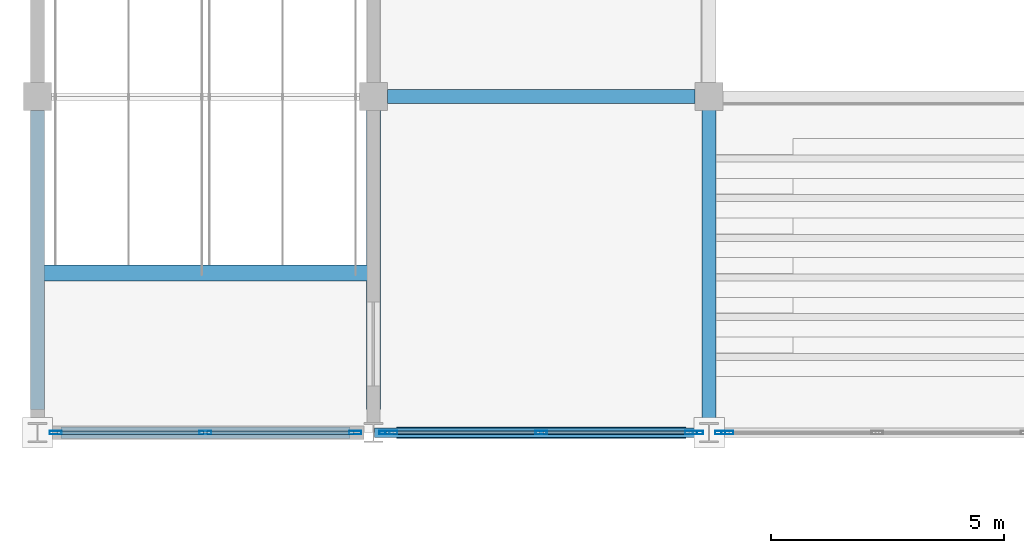
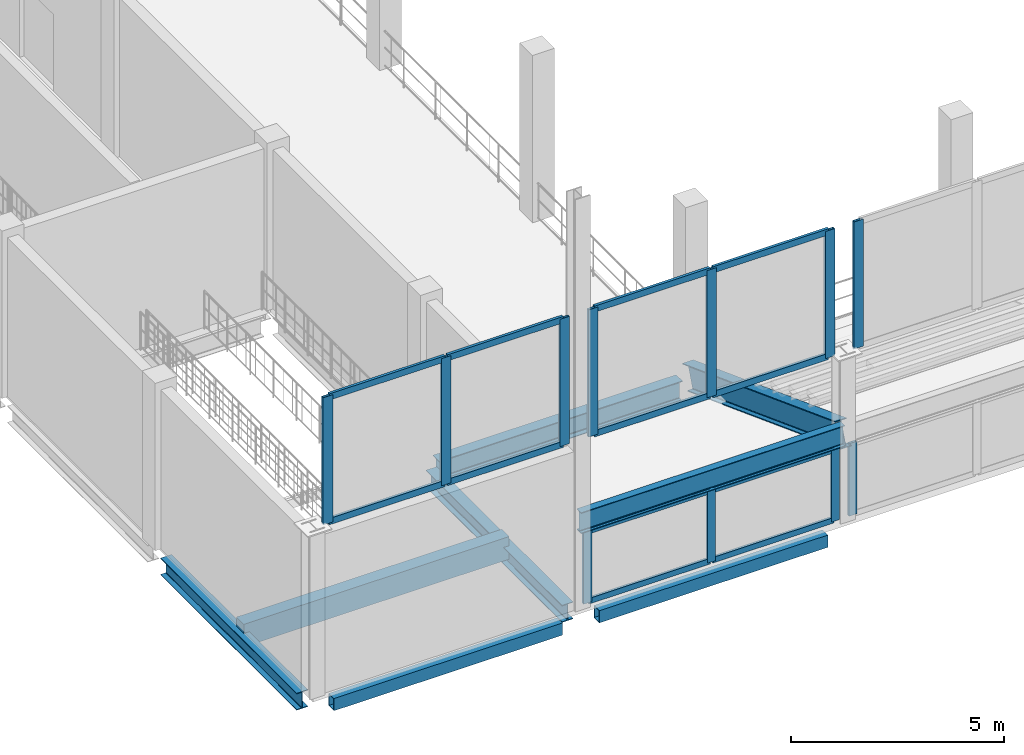
# One storey, part 18 of 120: 23 members, 8 beams, 5 elements without a shape of their own.
"""IFC4 building model written with IfcOpenShell, lengths in metres."""

from ifc_helpers import new_model, si_unit, direction, frame, origin, origin_2d, place, context, subcontext, project, spatial, rectangle, hollow_rectangle, i_section, extrude, material, material_profile, profile_set, type_object, element, aggregate, save


model = new_model("IFC4")

# Units and contexts
model_context = context("Model", 3, precision=1e-05, world=origin(), true_north=direction((0.0, 1.0)))
body_context = subcontext(model_context, "Body", "Model", "MODEL_VIEW")
ifc_project = project(units=[si_unit("LENGTHUNIT", "METRE"), si_unit("AREAUNIT", "SQUARE_METRE"), si_unit("VOLUMEUNIT", "CUBIC_METRE"), si_unit("PLANEANGLEUNIT", "RADIAN"), si_unit("MASSUNIT", "GRAM", prefix="KILO")], contexts=[model_context])

# Site, building, storey
site_placement = place(None, origin())
site = spatial("IfcSite", under=ifc_project, at=site_placement, CompositionType="ELEMENT")
building_placement = place(site_placement, origin())
building = spatial("IfcBuilding", under=site, at=building_placement, Name="Vesperath Aquatics Centre", CompositionType="ELEMENT")
storey_placement = place(building_placement, frame((0.0, 0.0, 10.199951171875)))
storey = spatial("IfcBuildingStorey", under=building, at=storey_placement, Name="L02", CompositionType="ELEMENT", Elevation=10.199951171875)

# Beams
ifc_material_1 = material(Name="Concrete C35", Category="concrete")
ifc_material_profile_1 = material_profile(ifc_material_1, rectangle(XDim=0.35009765625, YDim=0.64990234375, at=origin_2d()), Name="RC 350x650")
ifc_profile_set_1 = profile_set([ifc_material_profile_1], Name="Concrete C35")
beam_type_1 = type_object("IfcBeamType", Name="BM-G05", PredefinedType="BEAM", material=ifc_profile_set_1)
beam_1_placement = place(storey_placement, frame((0.0, 17.820068359375, -0.324951171875), z_axis=(1.0, 0.0, 0.0), x_axis=(0.0, 1.0, 0.0)))
element("IfcBeam", 1, at=beam_1_placement, inside=storey, type_object=beam_type_1, Name="Stair ST10 Landing Trimmer Beam B05 L02", PredefinedType="BEAM", context=body_context, shape_type="SweptSolid", body=[
    extrude(rectangle(XDim=0.35009765625, YDim=0.64990234375, at=origin_2d()), origin(), (0.0, 0.0, 1.0), 7.199951171875),
])
ifc_material_2 = material(Name="Steel Q355C", Category="steel")
ifc_material_profile_2 = material_profile(ifc_material_2, i_section(OverallWidth=0.300048828125, OverallDepth=0.587890625, WebThickness=0.011962890625, FlangeThickness=0.02001953125, FilletRadius=0.028076171875, at=origin_2d()), Name="HM 588x300x12x20")
ifc_profile_set_2 = profile_set([ifc_material_profile_2], Name="Steel Q355C")
beam_type_2 = type_object("IfcBeamType", Name="BM-G09", PredefinedType="BEAM", material=ifc_profile_set_2)
beam_2_placement = place(storey_placement, frame((7.5, 21.60009765625, -0.553955078125), z_axis=(1.0, 0.0, 0.0), x_axis=(0.0, 1.0, 0.0)))
element("IfcBeam", 2, at=beam_2_placement, inside=storey, type_object=beam_type_2, Name="Floor Girder B09 L02 D 2-3", PredefinedType="BEAM", context=body_context, shape_type="SweptSolid", body=[
    extrude(i_section(OverallWidth=0.300048828125, OverallDepth=0.587890625, WebThickness=0.011962890625, FlangeThickness=0.02001953125, FilletRadius=0.028076171875, at=origin_2d()), origin(), (0.0, 0.0, 1.0), 6.60009765625),
])
ifc_material_profile_3 = material_profile(ifc_material_2, i_section(OverallWidth=0.300048828125, OverallDepth=0.488037109375, WebThickness=0.010986328125, FlangeThickness=0.01806640625, FilletRadius=0.02587890625, at=origin_2d()), Name="HM 488x300x11x18")
ifc_profile_set_3 = profile_set([ifc_material_profile_3], Name="Steel Q355C")
beam_type_3 = type_object("IfcBeamType", Name="BM-G10", PredefinedType="BEAM", material=ifc_profile_set_3)
for number, where, z_axis, x_axis, name in (
    (3, (0.0, 14.89990234375, -0.50390625), (0.0, 1.0, 0.0), (-1.0, 0.0, 0.0), "Floor Girder B10 L02 1 C-D"),
    (4, (7.199951171875, 14.89990234375, -0.50390625), (0.0, 1.0, 0.0), (-1.0, 0.0, 0.0), "Floor Girder B10 L02 2 C-D"),
):
    element("IfcBeam", number, at=place(storey_placement, frame(where, z_axis=z_axis, x_axis=x_axis)), inside=storey, type_object=beam_type_3, Name=name, PredefinedType="BEAM", context=body_context, shape_type="SweptSolid", body=[
        extrude(i_section(OverallWidth=0.300048828125, OverallDepth=0.488037109375, WebThickness=0.010986328125, FlangeThickness=0.01806640625, FilletRadius=0.02587890625, at=origin_2d()), origin(), (0.0, 0.0, 1.0), 6.400146484375),
    ])
ifc_material_3 = material(Name="Steel Q355D", Category="steel")
ifc_material_profile_4 = material_profile(ifc_material_3, i_section(OverallWidth=0.300048828125, OverallDepth=0.699951171875, WebThickness=0.012939453125, FlangeThickness=0.02392578125, FilletRadius=0.028076171875, at=origin_2d()), Name="HN 700x300x13x24")
ifc_profile_set_4 = profile_set([ifc_material_profile_4], Name="Steel Q355D")
beam_type_4 = type_object("IfcBeamType", Name="BM-RK02", PredefinedType="USERDEFINED", material=ifc_profile_set_4)
beam_3_placement = place(storey_placement, frame((14.39990234375, 21.60009765625, -0.300048828125), z_axis=(0.0, -0.93632395855, 0.351137358659), x_axis=(1.0, 0.0, 0.0)))
element("IfcBeam", 5, at=beam_3_placement, inside=storey, type_object=beam_type_4, Name="Upper Stand RAKER Beam RK02 South 3", ObjectType="RAKER", PredefinedType="USERDEFINED", context=body_context, shape_type="SweptSolid", body=[
    extrude(i_section(OverallWidth=0.300048828125, OverallDepth=0.699951171875, WebThickness=0.012939453125, FlangeThickness=0.02392578125, FilletRadius=0.028076171875, at=origin_2d()), origin(), (0.0, 0.0, 1.0), 7.68994140625),
])
ifc_material_profile_5 = material_profile(ifc_material_3, i_section(OverallWidth=0.199951171875, OverallDepth=0.60009765625, WebThickness=0.010986328125, FlangeThickness=0.01708984375, FilletRadius=0.02197265625, at=origin_2d()), Name="HN 600x200x11x17")
ifc_profile_set_5 = profile_set([ifc_material_profile_5], Name="Steel Q355D")
beam_type_5 = type_object("IfcBeamType", Name="BM-RKH1", PredefinedType="BEAM", material=ifc_profile_set_5)
beam_4_placement = place(storey_placement, frame((7.219970703125, 14.39990234375, 2.400146484375), z_axis=(1.0, 0.0, 0.0), x_axis=(0.0, 1.0, 0.0)))
element("IfcBeam", 6, at=beam_4_placement, inside=storey, type_object=beam_type_5, Name="Upper Bowl Rim Girder RKH1 South 2-3", PredefinedType="BEAM", context=body_context, shape_type="SweptSolid", body=[
    extrude(i_section(OverallWidth=0.199951171875, OverallDepth=0.60009765625, WebThickness=0.010986328125, FlangeThickness=0.01708984375, FilletRadius=0.02197265625, at=origin_2d()), origin(), (0.0, 0.0, 1.0), 7.159912109375),
])
ifc_material_profile_6 = material_profile(ifc_material_3, hollow_rectangle(XDim=0.25, YDim=0.35009765625, WallThickness=0.011962890625, at=origin_2d()), Name="RHS 350x250x12")
ifc_profile_set_6 = profile_set([ifc_material_profile_6], Name="Steel Q355D")
beam_type_6 = type_object("IfcBeamType", Name="BM-SP02", PredefinedType="SPANDREL", material=ifc_profile_set_6)
for number, where, z_axis, x_axis, name in (
    (7, (0.5, 14.39990234375, -0.43505859375), (1.0, 0.0, 0.0), (0.0, 1.0, 0.0), "Floor Girder SP02 L02 C 1-2"),
    (8, (7.699951171875, 14.39990234375, -0.43505859375), (1.0, 0.0, 0.0), (0.0, 1.0, 0.0), "Floor Girder SP02 L02 C 2-3"),
):
    element("IfcBeam", number, at=place(storey_placement, frame(where, z_axis=z_axis, x_axis=x_axis)), inside=storey, type_object=beam_type_6, Name=name, PredefinedType="SPANDREL", context=body_context, shape_type="SweptSolid", body=[
        extrude(hollow_rectangle(XDim=0.25, YDim=0.35009765625, WallThickness=0.011962890625, at=origin_2d()), origin(), (0.0, 0.0, 1.0), 6.199951171875),
    ])

# Curtain wall, members
ifc_material_4 = material(Name="Thermally broken anodised bronze aluminium curtain wall", Category="aluminium")
curtain_wall_type_1 = type_object("IfcCurtainWallType", Name="CW-08", PredefinedType="NOTDEFINED", material=ifc_material_4)
curtain_wall_1_placement = place(storey_placement, origin())
curtain_wall_1 = element("IfcCurtainWall", 9, at=curtain_wall_1_placement, inside=storey, type_object=curtain_wall_type_1, Name="Natatorium Gable West Curtain Wall CW08 S-1W", PredefinedType="NOTDEFINED")
ifc_material_5 = material(Name="Thermally broken anodised aluminium", Category="aluminium")
ifc_material_profile_7 = material_profile(ifc_material_5, hollow_rectangle(XDim=0.074951171875, YDim=0.260009765625, WallThickness=0.006103515625, at=origin_2d()), Name="CWM 75x260x6")
ifc_profile_set_7 = profile_set([ifc_material_profile_7], Name="Thermally broken anodised aluminium")
member_type_1 = type_object("IfcMemberType", Name="MB-CWM1", PredefinedType="MULLION", material=ifc_profile_set_7)
member_1_placement = place(storey_placement, frame((0.387451171875, 14.39990234375, 4.75), z_axis=(0.0, 0.0, 1.0), x_axis=(0.0, 1.0, 0.0)))
member_1 = element("IfcMember", 10, at=member_1_placement, type_object=member_type_1, Name="CW08 mullion 1", PredefinedType="MULLION", context=body_context, shape_type="SweptSolid", body=[
    extrude(hollow_rectangle(XDim=0.074951171875, YDim=0.260009765625, WallThickness=0.006103515625, at=origin_2d()), origin(), (0.0, 0.0, 1.0), 3.650146484375),
])
member_2_placement = place(storey_placement, frame((3.60009765625, 14.39990234375, 4.75), z_axis=(0.0, 0.0, 1.0), x_axis=(0.0, 1.0, 0.0)))
member_2 = element("IfcMember", 11, at=member_2_placement, type_object=member_type_1, Name="CW08 mullion 2", PredefinedType="MULLION", context=body_context, shape_type="SweptSolid", body=[
    extrude(hollow_rectangle(XDim=0.074951171875, YDim=0.260009765625, WallThickness=0.006103515625, at=origin_2d()), origin(), (0.0, 0.0, 1.0), 3.650146484375),
])
member_3_placement = place(storey_placement, frame((6.8125, 14.39990234375, 4.75), z_axis=(0.0, 0.0, 1.0), x_axis=(0.0, 1.0, 0.0)))
member_3 = element("IfcMember", 12, at=member_3_placement, type_object=member_type_1, Name="CW08 mullion 3", PredefinedType="MULLION", context=body_context, shape_type="SweptSolid", body=[
    extrude(hollow_rectangle(XDim=0.074951171875, YDim=0.260009765625, WallThickness=0.006103515625, at=origin_2d()), origin(), (0.0, 0.0, 1.0), 3.650146484375),
])

curtain_wall_2_placement = place(storey_placement, origin())
curtain_wall_2 = element("IfcCurtainWall", 13, at=curtain_wall_2_placement, inside=storey, type_object=curtain_wall_type_1, Name="Natatorium Gable East Curtain Wall CW08 S-1E", PredefinedType="NOTDEFINED")
member_4_placement = place(storey_placement, frame((7.58740234375, 14.39990234375, 4.75), z_axis=(0.0, 0.0, 1.0), x_axis=(0.0, 1.0, 0.0)))
member_4 = element("IfcMember", 14, at=member_4_placement, type_object=member_type_1, Name="CW08 mullion 1", PredefinedType="MULLION", context=body_context, shape_type="SweptSolid", body=[
    extrude(hollow_rectangle(XDim=0.074951171875, YDim=0.260009765625, WallThickness=0.006103515625, at=origin_2d()), origin(), (0.0, 0.0, 1.0), 3.650146484375),
])
member_5_placement = place(storey_placement, frame((10.800048828125, 14.39990234375, 4.75), z_axis=(0.0, 0.0, 1.0), x_axis=(0.0, 1.0, 0.0)))
member_5 = element("IfcMember", 15, at=member_5_placement, type_object=member_type_1, Name="CW08 mullion 2", PredefinedType="MULLION", context=body_context, shape_type="SweptSolid", body=[
    extrude(hollow_rectangle(XDim=0.074951171875, YDim=0.260009765625, WallThickness=0.006103515625, at=origin_2d()), origin(), (0.0, 0.0, 1.0), 3.650146484375),
])
member_6_placement = place(storey_placement, frame((14.012451171875, 14.39990234375, 4.75), z_axis=(0.0, 0.0, 1.0), x_axis=(0.0, 1.0, 0.0)))
member_6 = element("IfcMember", 16, at=member_6_placement, type_object=member_type_1, Name="CW08 mullion 3", PredefinedType="MULLION", context=body_context, shape_type="SweptSolid", body=[
    extrude(hollow_rectangle(XDim=0.074951171875, YDim=0.260009765625, WallThickness=0.006103515625, at=origin_2d()), origin(), (0.0, 0.0, 1.0), 3.650146484375),
])

# Curtain wall, member
curtain_wall_3_placement = place(storey_placement, origin())
curtain_wall_3 = element("IfcCurtainWall", 17, at=curtain_wall_3_placement, inside=storey, type_object=curtain_wall_type_1, Name="Natatorium Gable West Curtain Wall CW08 S-2W", PredefinedType="NOTDEFINED")
member_7_placement = place(storey_placement, frame((14.78759765625, 14.39990234375, 4.75), z_axis=(0.0, 0.0, 1.0), x_axis=(0.0, 1.0, 0.0)))
member_7 = element("IfcMember", 18, at=member_7_placement, type_object=member_type_1, Name="CW08 mullion 1", PredefinedType="MULLION", context=body_context, shape_type="SweptSolid", body=[
    extrude(hollow_rectangle(XDim=0.074951171875, YDim=0.260009765625, WallThickness=0.006103515625, at=origin_2d()), origin(), (0.0, 0.0, 1.0), 3.650146484375),
])
aggregate(curtain_wall_3, [member_7])

# Curtain wall, members
curtain_wall_type_2 = type_object("IfcCurtainWallType", Name="CW-06", PredefinedType="NOTDEFINED", material=ifc_material_4)
curtain_wall_4_placement = place(storey_placement, origin())
curtain_wall_4 = element("IfcCurtainWall", 19, at=curtain_wall_4_placement, inside=storey, type_object=curtain_wall_type_2, Name="Facade Curtain Wall CW06 L02_S_01_02", PredefinedType="NOTDEFINED")
ifc_material_profile_8 = material_profile(ifc_material_5, hollow_rectangle(XDim=0.070068359375, YDim=0.219970703125, WallThickness=0.0048828125, at=origin_2d()), Name="CWM 70x220x5")
ifc_profile_set_8 = profile_set([ifc_material_profile_8], Name="Thermally broken anodised aluminium")
member_type_2 = type_object("IfcMemberType", Name="MB-CWM2", PredefinedType="MULLION", material=ifc_profile_set_8)
member_8_placement = place(storey_placement, frame((7.4384765625, 14.39990234375, 0.0), z_axis=(0.0, 0.0, 1.0), x_axis=(0.0, 1.0, 0.0)))
member_8 = element("IfcMember", 20, at=member_8_placement, type_object=member_type_2, Name="CW06 mullion 1", PredefinedType="MULLION", context=body_context, shape_type="SweptSolid", body=[
    extrude(hollow_rectangle(XDim=0.070068359375, YDim=0.219970703125, WallThickness=0.0048828125, at=origin_2d()), origin(), (0.0, 0.0, 1.0), 2.080078125),
])
member_9_placement = place(storey_placement, frame((10.800048828125, 14.39990234375, 0.0), z_axis=(0.0, 0.0, 1.0), x_axis=(0.0, 1.0, 0.0)))
member_9 = element("IfcMember", 21, at=member_9_placement, type_object=member_type_2, Name="CW06 mullion 2", PredefinedType="MULLION", context=body_context, shape_type="SweptSolid", body=[
    extrude(hollow_rectangle(XDim=0.070068359375, YDim=0.219970703125, WallThickness=0.0048828125, at=origin_2d()), origin(), (0.0, 0.0, 1.0), 2.080078125),
])
member_10_placement = place(storey_placement, frame((14.16162109375, 14.39990234375, 0.0), z_axis=(0.0, 0.0, 1.0), x_axis=(0.0, 1.0, 0.0)))
member_10 = element("IfcMember", 22, at=member_10_placement, type_object=member_type_2, Name="CW06 mullion 3", PredefinedType="MULLION", context=body_context, shape_type="SweptSolid", body=[
    extrude(hollow_rectangle(XDim=0.070068359375, YDim=0.219970703125, WallThickness=0.0048828125, at=origin_2d()), origin(), (0.0, 0.0, 1.0), 2.080078125),
])

# Curtain wall, member
curtain_wall_5_placement = place(storey_placement, origin())
curtain_wall_5 = element("IfcCurtainWall", 23, at=curtain_wall_5_placement, inside=storey, type_object=curtain_wall_type_2, Name="Facade Curtain Wall CW06 L02_S_02_02", PredefinedType="NOTDEFINED")
member_11_placement = place(storey_placement, frame((14.638427734375, 14.39990234375, 0.0), z_axis=(0.0, 0.0, 1.0), x_axis=(0.0, 1.0, 0.0)))
member_11 = element("IfcMember", 24, at=member_11_placement, type_object=member_type_2, Name="CW06 mullion 1", PredefinedType="MULLION", context=body_context, shape_type="SweptSolid", body=[
    extrude(hollow_rectangle(XDim=0.070068359375, YDim=0.219970703125, WallThickness=0.0048828125, at=origin_2d()), origin(), (0.0, 0.0, 1.0), 2.080078125),
])
aggregate(curtain_wall_5, [member_11])

# Member
ifc_material_profile_9 = material_profile(ifc_material_5, hollow_rectangle(XDim=0.074951171875, YDim=0.179931640625, WallThickness=0.0048828125, at=origin_2d()), Name="CWT 75x180x5")
ifc_profile_set_9 = profile_set([ifc_material_profile_9], Name="Thermally broken anodised aluminium")
member_type_3 = type_object("IfcMemberType", Name="MB-CWT1", PredefinedType="USERDEFINED", material=ifc_profile_set_9)
member_12_placement = place(storey_placement, frame((0.425048828125, 14.39990234375, 4.78759765625), z_axis=(1.0, 0.0, 0.0), x_axis=(0.0, 1.0, 0.0)))
member_12 = element("IfcMember", 25, at=member_12_placement, type_object=member_type_3, Name="CW08 transom 1.1", ObjectType="TRANSOM", PredefinedType="USERDEFINED", context=body_context, shape_type="SweptSolid", body=[
    extrude(hollow_rectangle(XDim=0.074951171875, YDim=0.179931640625, WallThickness=0.0048828125, at=origin_2d()), origin(), (0.0, 0.0, 1.0), 3.137451171875),
])

member_13_placement = place(storey_placement, frame((0.425048828125, 14.39990234375, 8.362548828125), z_axis=(1.0, 0.0, 0.0), x_axis=(0.0, 1.0, 0.0)))
member_13 = element("IfcMember", 26, at=member_13_placement, type_object=member_type_3, Name="CW08 transom 1.2", ObjectType="TRANSOM", PredefinedType="USERDEFINED", context=body_context, shape_type="SweptSolid", body=[
    extrude(hollow_rectangle(XDim=0.074951171875, YDim=0.179931640625, WallThickness=0.0048828125, at=origin_2d()), origin(), (0.0, 0.0, 1.0), 3.137451171875),
])

member_14_placement = place(storey_placement, frame((3.637451171875, 14.39990234375, 4.78759765625), z_axis=(1.0, 0.0, 0.0), x_axis=(0.0, 1.0, 0.0)))
member_14 = element("IfcMember", 27, at=member_14_placement, type_object=member_type_3, Name="CW08 transom 2.1", ObjectType="TRANSOM", PredefinedType="USERDEFINED", context=body_context, shape_type="SweptSolid", body=[
    extrude(hollow_rectangle(XDim=0.074951171875, YDim=0.179931640625, WallThickness=0.0048828125, at=origin_2d()), origin(), (0.0, 0.0, 1.0), 3.137451171875),
])

member_15_placement = place(storey_placement, frame((3.637451171875, 14.39990234375, 8.362548828125), z_axis=(1.0, 0.0, 0.0), x_axis=(0.0, 1.0, 0.0)))
member_15 = element("IfcMember", 28, at=member_15_placement, type_object=member_type_3, Name="CW08 transom 2.2", ObjectType="TRANSOM", PredefinedType="USERDEFINED", context=body_context, shape_type="SweptSolid", body=[
    extrude(hollow_rectangle(XDim=0.074951171875, YDim=0.179931640625, WallThickness=0.0048828125, at=origin_2d()), origin(), (0.0, 0.0, 1.0), 3.137451171875),
])

aggregate(curtain_wall_1, [member_1, member_2, member_3, member_12, member_13, member_14, member_15])

member_16_placement = place(storey_placement, frame((7.625, 14.39990234375, 4.78759765625), z_axis=(1.0, 0.0, 0.0), x_axis=(0.0, 1.0, 0.0)))
member_16 = element("IfcMember", 29, at=member_16_placement, type_object=member_type_3, Name="CW08 transom 1.1", ObjectType="TRANSOM", PredefinedType="USERDEFINED", context=body_context, shape_type="SweptSolid", body=[
    extrude(hollow_rectangle(XDim=0.074951171875, YDim=0.179931640625, WallThickness=0.0048828125, at=origin_2d()), origin(), (0.0, 0.0, 1.0), 3.137451171875),
])

member_17_placement = place(storey_placement, frame((7.625, 14.39990234375, 8.362548828125), z_axis=(1.0, 0.0, 0.0), x_axis=(0.0, 1.0, 0.0)))
member_17 = element("IfcMember", 30, at=member_17_placement, type_object=member_type_3, Name="CW08 transom 1.2", ObjectType="TRANSOM", PredefinedType="USERDEFINED", context=body_context, shape_type="SweptSolid", body=[
    extrude(hollow_rectangle(XDim=0.074951171875, YDim=0.179931640625, WallThickness=0.0048828125, at=origin_2d()), origin(), (0.0, 0.0, 1.0), 3.137451171875),
])

member_18_placement = place(storey_placement, frame((10.83740234375, 14.39990234375, 4.78759765625), z_axis=(1.0, 0.0, 0.0), x_axis=(0.0, 1.0, 0.0)))
member_18 = element("IfcMember", 31, at=member_18_placement, type_object=member_type_3, Name="CW08 transom 2.1", ObjectType="TRANSOM", PredefinedType="USERDEFINED", context=body_context, shape_type="SweptSolid", body=[
    extrude(hollow_rectangle(XDim=0.074951171875, YDim=0.179931640625, WallThickness=0.0048828125, at=origin_2d()), origin(), (0.0, 0.0, 1.0), 3.1376953125),
])

member_19_placement = place(storey_placement, frame((10.83740234375, 14.39990234375, 8.362548828125), z_axis=(1.0, 0.0, 0.0), x_axis=(0.0, 1.0, 0.0)))
member_19 = element("IfcMember", 32, at=member_19_placement, type_object=member_type_3, Name="CW08 transom 2.2", ObjectType="TRANSOM", PredefinedType="USERDEFINED", context=body_context, shape_type="SweptSolid", body=[
    extrude(hollow_rectangle(XDim=0.074951171875, YDim=0.179931640625, WallThickness=0.0048828125, at=origin_2d()), origin(), (0.0, 0.0, 1.0), 3.1376953125),
])

aggregate(curtain_wall_2, [member_4, member_5, member_6, member_16, member_17, member_18, member_19])

ifc_material_profile_10 = material_profile(ifc_material_5, hollow_rectangle(XDim=0.070068359375, YDim=0.159912109375, WallThickness=0.0048828125, at=origin_2d()), Name="CWT 70x160x5")
ifc_profile_set_10 = profile_set([ifc_material_profile_10], Name="Thermally broken anodised aluminium")
member_type_4 = type_object("IfcMemberType", Name="MB-CWT2", PredefinedType="USERDEFINED", material=ifc_profile_set_10)
member_20_placement = place(storey_placement, frame((7.473388671875, 14.39990234375, 0.03515625), z_axis=(1.0, 0.0, 0.0), x_axis=(0.0, 1.0, 0.0)))
member_20 = element("IfcMember", 33, at=member_20_placement, type_object=member_type_4, Name="CW06 transom 1.1", ObjectType="TRANSOM", PredefinedType="USERDEFINED", context=body_context, shape_type="SweptSolid", body=[
    extrude(hollow_rectangle(XDim=0.070068359375, YDim=0.159912109375, WallThickness=0.0048828125, at=origin_2d()), origin(), (0.0, 0.0, 1.0), 3.29150390625),
])

member_21_placement = place(storey_placement, frame((7.473388671875, 14.39990234375, 2.045166015625), z_axis=(1.0, 0.0, 0.0), x_axis=(0.0, 1.0, 0.0)))
member_21 = element("IfcMember", 34, at=member_21_placement, type_object=member_type_4, Name="CW06 transom 1.2", ObjectType="TRANSOM", PredefinedType="USERDEFINED", context=body_context, shape_type="SweptSolid", body=[
    extrude(hollow_rectangle(XDim=0.070068359375, YDim=0.159912109375, WallThickness=0.0048828125, at=origin_2d()), origin(), (0.0, 0.0, 1.0), 3.29150390625),
])

member_22_placement = place(storey_placement, frame((10.8349609375, 14.39990234375, 0.03515625), z_axis=(1.0, 0.0, 0.0), x_axis=(0.0, 1.0, 0.0)))
member_22 = element("IfcMember", 35, at=member_22_placement, type_object=member_type_4, Name="CW06 transom 2.1", ObjectType="TRANSOM", PredefinedType="USERDEFINED", context=body_context, shape_type="SweptSolid", body=[
    extrude(hollow_rectangle(XDim=0.070068359375, YDim=0.159912109375, WallThickness=0.0048828125, at=origin_2d()), origin(), (0.0, 0.0, 1.0), 3.29150390625),
])

member_23_placement = place(storey_placement, frame((10.8349609375, 14.39990234375, 2.045166015625), z_axis=(1.0, 0.0, 0.0), x_axis=(0.0, 1.0, 0.0)))
member_23 = element("IfcMember", 36, at=member_23_placement, type_object=member_type_4, Name="CW06 transom 2.2", ObjectType="TRANSOM", PredefinedType="USERDEFINED", context=body_context, shape_type="SweptSolid", body=[
    extrude(hollow_rectangle(XDim=0.070068359375, YDim=0.159912109375, WallThickness=0.0048828125, at=origin_2d()), origin(), (0.0, 0.0, 1.0), 3.29150390625),
])

aggregate(curtain_wall_4, [member_8, member_9, member_10, member_20, member_21, member_22, member_23])

save(model, "model.ifc")
